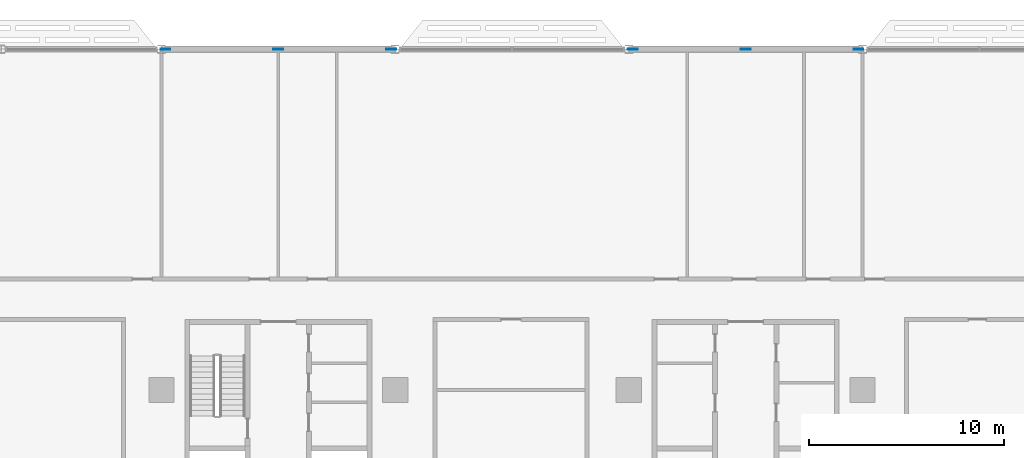
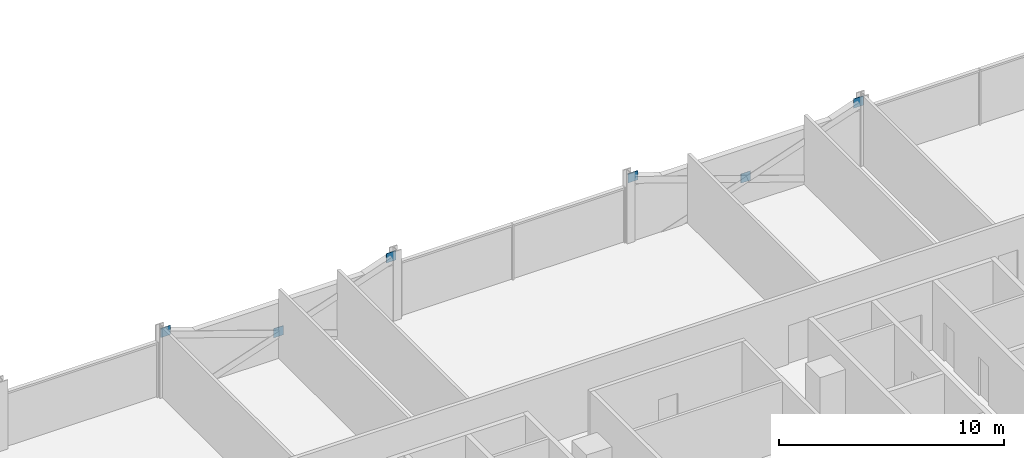
# One storey, part 22 of 29: 6 discrete accessories.
"""IFC4 building model written with IfcOpenShell, lengths in metres."""

from ifc_helpers import new_model, si_unit, direction, frame, origin, origin_2d, place, context, subcontext, project, spatial, rectangle, extrude, material, layer, layer_set, type_object, element, save


model = new_model("IFC4")

# Units and contexts
model_context = context("Model", 3, precision=1e-05, world=origin(), true_north=direction((0.0, 1.0)))
body_context = subcontext(model_context, "Body", "Model", "MODEL_VIEW")
ifc_project = project(units=[si_unit("LENGTHUNIT", "METRE"), si_unit("AREAUNIT", "SQUARE_METRE"), si_unit("VOLUMEUNIT", "CUBIC_METRE"), si_unit("PLANEANGLEUNIT", "RADIAN"), si_unit("MASSUNIT", "GRAM", prefix="KILO")], contexts=[model_context])

# Site, building, storey
site_placement = place(None, origin())
site = spatial("IfcSite", under=ifc_project, at=site_placement, CompositionType="ELEMENT")
building_placement = place(site_placement, origin())
building = spatial("IfcBuilding", under=site, at=building_placement, Name="Mahtab Terrace Research Tower", CompositionType="ELEMENT")
storey_placement = place(building_placement, frame((0.0, 0.0, 146.60009765625)))
storey = spatial("IfcBuildingStorey", under=building, at=storey_placement, Name="L34", CompositionType="ELEMENT", Elevation=146.60009765625)

# Discrete accessories
ifc_material = material(Name="Steel ASTM A992 Gr 50", Category="steel")
ifc_layer = layer(ifc_material, 0.030029296875)
ifc_layer_set = layer_set([ifc_layer], Name="Gusset plate 500x500x30")
discrete_accessory_type = type_object("IfcDiscreteAccessoryType", Name="Gusset plate 500x500x30", PredefinedType="USERDEFINED", material=ifc_layer_set)
for number, where, z_axis, x_axis, name in (
    (1, (-29.794189453125, 29.0, 3.129638671875), (0.0, 0.0, 1.0), (1.0, 0.0, 0.0), "Gusset plate"),
    (2, (-24.0, 29.0, 1.08154296875), (0.0, 0.0, 1.0), (1.0, 0.0, 0.0), "Gusset plate"),
    (3, (-18.205810546875, 29.0, 3.129638671875), (0.0, 0.0, 1.0), (1.0, 0.0, 0.0), "Gusset plate"),
    (4, (-5.794189453125, 29.0, 3.129638671875), (0.0, 0.0, 1.0), (1.0, 0.0, 0.0), "Gusset plate"),
    (5, (0.0, 29.0, 1.08154296875), (0.0, 0.0, 1.0), (1.0, 0.0, 0.0), "Gusset plate"),
    (6, (5.794189453125, 29.0, 3.129638671875), (0.0, 0.0, 1.0), (1.0, 0.0, 0.0), "Gusset plate"),
):
    element("IfcDiscreteAccessory", number, at=place(storey_placement, frame(where, z_axis=z_axis, x_axis=x_axis)), inside=storey, type_object=discrete_accessory_type, Name=name, ObjectType="GUSSET PLATE", PredefinedType="USERDEFINED", context=body_context, shape_type="SweptSolid", body=[
        extrude(rectangle(XDim=0.5, YDim=0.030029296875, at=origin_2d()), origin(), (0.0, 0.0, 1.0), 0.5),
    ])

save(model, "model.ifc")
